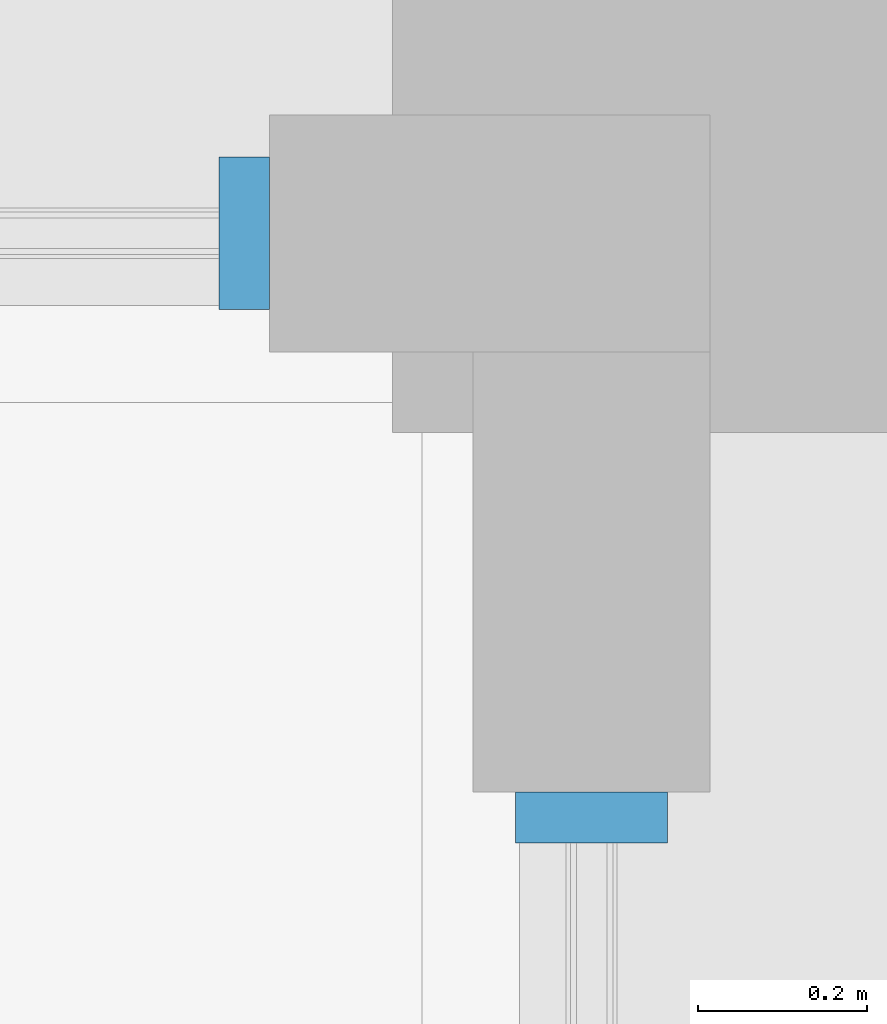
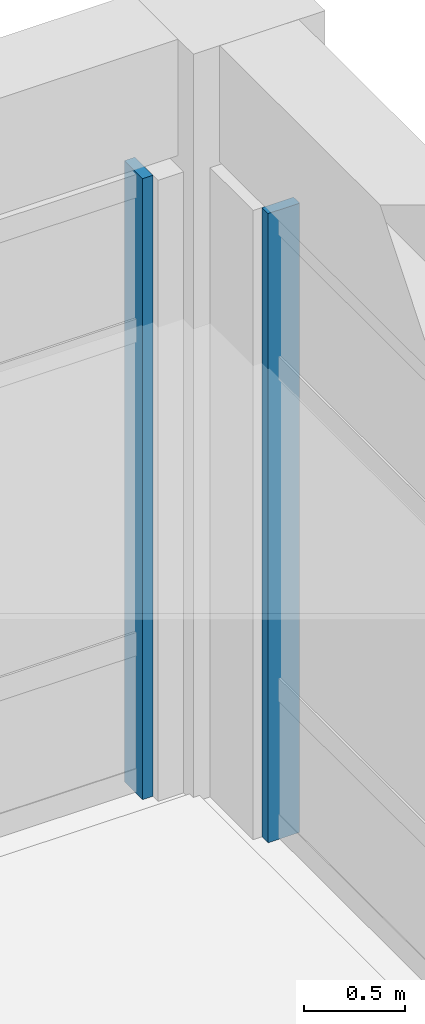
# One storey, part 18 of 50: 2 members, 2 elements without a shape of their own.
"""IFC4 building model written with IfcOpenShell, lengths in metres."""

from ifc_helpers import new_model, si_unit, direction, frame, origin, origin_2d, place, context, subcontext, project, spatial, rectangle, extrude, material, layer, layer_set, material_profile, profile_set, type_object, element, aggregate, save


model = new_model("IFC4")

# Units and contexts
model_context = context("Model", 3, precision=1e-05, world=origin(), true_north=direction((0.0, 1.0)))
body_context = subcontext(model_context, "Body", "Model", "MODEL_VIEW")
ifc_project = project(units=[si_unit("LENGTHUNIT", "METRE"), si_unit("AREAUNIT", "SQUARE_METRE"), si_unit("VOLUMEUNIT", "CUBIC_METRE"), si_unit("PLANEANGLEUNIT", "RADIAN"), si_unit("MASSUNIT", "GRAM", prefix="KILO")], contexts=[model_context])

# Site, building, storey
site_placement = place(None, origin())
site = spatial("IfcSite", under=ifc_project, at=site_placement, CompositionType="ELEMENT")
building_placement = place(site_placement, origin())
building = spatial("IfcBuilding", under=site, at=building_placement, Name="Kolvaren Faculty of Natural Sciences", CompositionType="ELEMENT")
storey_placement = place(building_placement, frame((0.0, 0.0, 15.0)))
storey = spatial("IfcBuildingStorey", under=building, at=storey_placement, Name="L03", CompositionType="ELEMENT", Elevation=15.0)

# Curtain wall, member
ifc_material = material(Name="Thermally broken anodised aluminium framing", Category="aluminium")
ifc_layer = layer(ifc_material, 0.179931640625)
ifc_layer_set = layer_set([ifc_layer], Name="Thermally broken anodised aluminium framing")
curtain_wall_type = type_object("IfcCurtainWallType", Name="TowerNorthCurtainWall_CW03", PredefinedType="NOTDEFINED", material=ifc_layer_set)
curtain_wall_1_placement = place(storey_placement, origin())
curtain_wall_1 = element("IfcCurtainWall", 1, at=curtain_wall_1_placement, inside=storey, type_object=curtain_wall_type, Name="L03 unitised curtain wall CW-03 (CW-L03-146)", PredefinedType="NOTDEFINED")
ifc_material_profile = material_profile(ifc_material, rectangle(XDim=0.06005859375, YDim=0.179931640625, at=origin_2d()), Name="ALU MUL 60x180")
ifc_profile_set = profile_set([ifc_material_profile], Name="Thermally broken anodised aluminium framing")
member_type = type_object("IfcMemberType", Name="CurtainMullion_60x180", PredefinedType="MULLION", material=ifc_profile_set)
member_1_placement = place(storey_placement, frame((171.449951171875, 84.06005859375, 0.0), z_axis=(0.0, 0.0, 1.0), x_axis=(1.0, 0.0, 0.0)))
member_1 = element("IfcMember", 2, at=member_1_placement, type_object=member_type, Name="CW-L03-146 vertical mullion 5", PredefinedType="MULLION", context=body_context, shape_type="SweptSolid", body=[
    extrude(rectangle(XDim=0.06005859375, YDim=0.179931640625, at=origin_2d()), origin(), (0.0, 0.0, 1.0), 3.735107421875),
])
aggregate(curtain_wall_1, [member_1])

curtain_wall_2_placement = place(storey_placement, origin())
curtain_wall_2 = element("IfcCurtainWall", 3, at=curtain_wall_2_placement, inside=storey, type_object=curtain_wall_type, Name="L03 unitised curtain wall CW-03 (CW-L03-147)", PredefinedType="NOTDEFINED")
member_2_placement = place(storey_placement, frame((171.860107421875, 83.3701171875, 0.0), z_axis=(0.0, 0.0, 1.0), x_axis=(0.0, -1.0, 0.0)))
member_2 = element("IfcMember", 4, at=member_2_placement, type_object=member_type, Name="CW-L03-147 vertical mullion 1", PredefinedType="MULLION", context=body_context, shape_type="SweptSolid", body=[
    extrude(rectangle(XDim=0.06005859375, YDim=0.179931640625, at=origin_2d()), origin(), (0.0, 0.0, 1.0), 3.784912109375),
])
aggregate(curtain_wall_2, [member_2])

save(model, "model.ifc")
